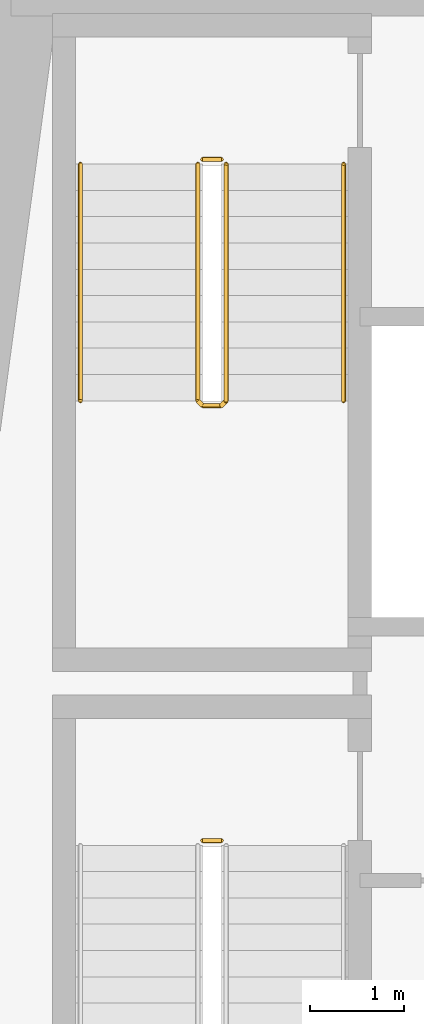
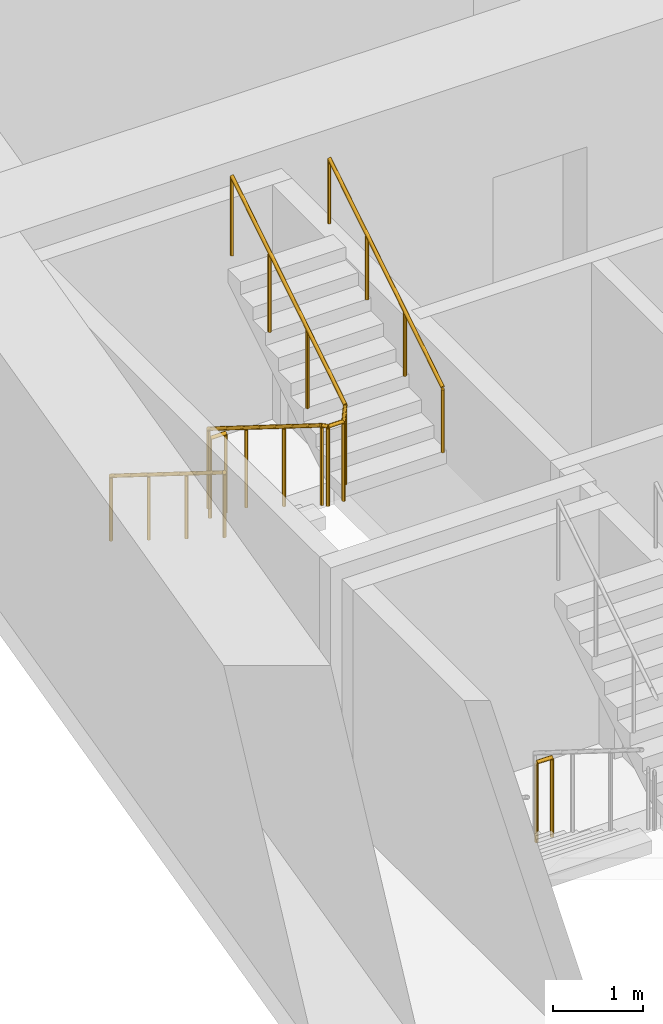
# One storey, part 10 of 13: 5 railings.
"""IFC4 building model written with IfcOpenShell, lengths in metres."""

from ifc_helpers import new_model, si_unit, direction, frame, origin, origin_2d, place, context, subcontext, project, spatial, circle, extrude, material, type_object, element, save


model = new_model("IFC4")

# Units and contexts
model_context = context("Model", 3, precision=1e-05, world=origin(), true_north=direction((0.0, 1.0)))
body_context = subcontext(model_context, "Body", "Model", "MODEL_VIEW")
ifc_project = project(units=[si_unit("LENGTHUNIT", "METRE"), si_unit("AREAUNIT", "SQUARE_METRE"), si_unit("VOLUMEUNIT", "CUBIC_METRE"), si_unit("PLANEANGLEUNIT", "RADIAN"), si_unit("MASSUNIT", "GRAM", prefix="KILO")], contexts=[model_context])

# Site, building, storey
site_placement = place(None, origin())
site = spatial("IfcSite", under=ifc_project, at=site_placement, CompositionType="ELEMENT")
building_placement = place(site_placement, origin())
building = spatial("IfcBuilding", under=site, at=building_placement, Name="Candeia Pilgrim Tower and Theatre", CompositionType="ELEMENT")
storey_placement = place(building_placement, frame((0.0, 0.0, 70.5)))
storey = spatial("IfcBuildingStorey", under=building, at=storey_placement, Name="L15", CompositionType="ELEMENT", Elevation=70.5)

# Railings
ifc_material_1 = material(Name="Stainless steel balustrade", Category="steel")
railing_type_1 = type_object("IfcRailingType", Name="RL-GUARD-1100", PredefinedType="GUARDRAIL", material=ifc_material_1)
railing_1_placement = place(storey_placement, frame((91.152099609375, 122.52490234375, 0.0)))
element("IfcRailing", 1, at=railing_1_placement, inside=storey, type_object=railing_type_1, Name="L15 ST1 stair guard 2", PredefinedType="GUARDRAIL", context=body_context, shape_type="SweptSolid", body=[
    extrude(circle(Radius=0.02392578125, at=origin_2d()), frame((0.0, 0.0, 1.076171875), z_axis=(1.0, 0.0, 0.0), x_axis=(0.0, 1.0, 0.0)), (0.0, 0.0, 1.0), 0.199951171875),
    extrude(circle(Radius=0.02099609375, at=origin_2d()), origin(), (0.0, 0.0, 1.0), 1.052001953125),
    extrude(circle(Radius=0.02099609375, at=origin_2d()), frame((0.199951171875, 0.0, 0.0)), (0.0, 0.0, 1.0), 1.052001953125),
])
railing_2_placement = place(storey_placement, frame((91.10205078125, 129.72509765625, 0.175048828125)))
element("IfcRailing", 2, at=railing_2_placement, inside=storey, type_object=railing_type_1, Name="L15 ST2 stair guard 1", PredefinedType="GUARDRAIL", context=body_context, shape_type="SweptSolid", body=[
    extrude(circle(Radius=0.02392578125, at=origin_2d()), frame((0.0, 0.0, 1.076171875), z_axis=(0.0, -0.848007534815, 0.529984170421), x_axis=(1.0, 0.0, 0.0)), (0.0, 0.0, 1.0), 2.9716796875),
    extrude(circle(Radius=0.02392578125, at=origin_2d()), frame((0.0, -2.52001953125, 2.65087890625), z_axis=(0.707106781187, -0.707106781187, 0.0), x_axis=(0.707106781187, 0.707106781187, 0.0)), (0.0, 0.0, 1.0), 0.07080078125),
    extrude(circle(Radius=0.02392578125, at=origin_2d()), frame((0.050048828125, -2.570068359375, 2.65087890625), z_axis=(1.0, 0.0, 0.0), x_axis=(0.0, 1.0, 0.0)), (0.0, 0.0, 1.0), 0.199951171875),
    extrude(circle(Radius=0.02392578125, at=origin_2d()), frame((0.25, -2.570068359375, 2.65087890625), z_axis=(0.265065253269, 0.265065253269, 0.927081885822), x_axis=(-0.707106781187, 0.707106781187, 0.0)), (0.0, 0.0, 1.0), 0.188720703125),
    extrude(circle(Radius=0.02392578125, at=origin_2d()), frame((0.300048828125, -2.52001953125, 2.826171875), z_axis=(0.0, 0.848007534815, 0.529984170421), x_axis=(-1.0, 0.0, 0.0)), (0.0, 0.0, 1.0), 2.9716796875),
    extrude(circle(Radius=0.02099609375, at=origin_2d()), origin(), (0.0, 0.0, 1.0), 1.052001953125),
    extrude(circle(Radius=0.02099609375, at=origin_2d()), frame((0.0, -0.840087890625, 0.52490234375)), (0.0, 0.0, 1.0), 1.052001953125),
    extrude(circle(Radius=0.02099609375, at=origin_2d()), frame((0.0, -1.679931640625, 1.050048828125)), (0.0, 0.0, 1.0), 1.052001953125),
    extrude(circle(Radius=0.02099609375, at=origin_2d()), frame((0.0, -2.52001953125, 1.574951171875)), (0.0, 0.0, 1.0), 1.052001953125),
    extrude(circle(Radius=0.02099609375, at=origin_2d()), frame((0.050048828125, -2.570068359375, 1.574951171875)), (0.0, 0.0, 1.0), 1.052001953125),
    extrude(circle(Radius=0.02099609375, at=origin_2d()), frame((0.25, -2.570068359375, 1.574951171875)), (0.0, 0.0, 1.0), 1.052001953125),
    extrude(circle(Radius=0.02099609375, at=origin_2d()), frame((0.300048828125, -2.52001953125, 1.75)), (0.0, 0.0, 1.0), 1.052001953125),
    extrude(circle(Radius=0.02099609375, at=origin_2d()), frame((0.300048828125, -1.679931640625, 2.27490234375)), (0.0, 0.0, 1.0), 1.052001953125),
    extrude(circle(Radius=0.02099609375, at=origin_2d()), frame((0.300048828125, -0.840087890625, 2.800048828125)), (0.0, 0.0, 1.0), 1.052001953125),
    extrude(circle(Radius=0.02099609375, at=origin_2d()), frame((0.300048828125, 0.0, 3.324951171875)), (0.0, 0.0, 1.0), 1.052001953125),
])
railing_3_placement = place(storey_placement, frame((91.152099609375, 129.77490234375, 0.0)))
element("IfcRailing", 3, at=railing_3_placement, inside=storey, type_object=railing_type_1, Name="L15 ST2 stair guard 2", PredefinedType="GUARDRAIL", context=body_context, shape_type="SweptSolid", body=[
    extrude(circle(Radius=0.02392578125, at=origin_2d()), frame((0.0, 0.0, 1.076171875), z_axis=(1.0, 0.0, 0.0), x_axis=(0.0, 1.0, 0.0)), (0.0, 0.0, 1.0), 0.199951171875),
    extrude(circle(Radius=0.02099609375, at=origin_2d()), origin(), (0.0, 0.0, 1.0), 1.052001953125),
    extrude(circle(Radius=0.02099609375, at=origin_2d()), frame((0.199951171875, 0.0, 0.0)), (0.0, 0.0, 1.0), 1.052001953125),
])
ifc_material_2 = material(Name="Stainless steel handrail", Category="steel")
railing_type_2 = type_object("IfcRailingType", Name="RL-HANDRAIL-900", PredefinedType="HANDRAIL", material=ifc_material_2)
railing_4_placement = place(storey_placement, frame((89.85205078125, 129.72509765625, 0.175048828125)))
element("IfcRailing", 4, at=railing_4_placement, inside=storey, type_object=railing_type_2, Name="L15 ST2 stair handrail 1", PredefinedType="HANDRAIL", context=body_context, shape_type="SweptSolid", body=[
    extrude(circle(Radius=0.02392578125, at=origin_2d()), frame((0.0, 0.0, 0.8759765625), z_axis=(0.0, -0.848007534815, 0.529984170421), x_axis=(1.0, 0.0, 0.0)), (0.0, 0.0, 1.0), 2.9716796875),
    extrude(circle(Radius=0.02099609375, at=origin_2d()), origin(), (0.0, 0.0, 1.0), 0.851806640625),
    extrude(circle(Radius=0.02099609375, at=origin_2d()), frame((0.0, -0.840087890625, 0.52490234375)), (0.0, 0.0, 1.0), 0.851806640625),
    extrude(circle(Radius=0.02099609375, at=origin_2d()), frame((0.0, -1.679931640625, 1.050048828125)), (0.0, 0.0, 1.0), 0.851806640625),
    extrude(circle(Radius=0.02099609375, at=origin_2d()), frame((0.0, -2.52001953125, 1.574951171875)), (0.0, 0.0, 1.0), 0.851806640625),
])
railing_5_placement = place(storey_placement, frame((92.652099609375, 127.205078125, 1.925048828125)))
element("IfcRailing", 5, at=railing_5_placement, inside=storey, type_object=railing_type_2, Name="L15 ST2 stair handrail 2", PredefinedType="HANDRAIL", context=body_context, shape_type="SweptSolid", body=[
    extrude(circle(Radius=0.02392578125, at=origin_2d()), frame((0.0, 0.0, 0.8759765625), z_axis=(0.0, 0.848007534815, 0.529984170421), x_axis=(-1.0, 0.0, 0.0)), (0.0, 0.0, 1.0), 2.9716796875),
    extrude(circle(Radius=0.02099609375, at=origin_2d()), origin(), (0.0, 0.0, 1.0), 0.851806640625),
    extrude(circle(Radius=0.02099609375, at=origin_2d()), frame((0.0, 0.840087890625, 0.52490234375)), (0.0, 0.0, 1.0), 0.851806640625),
    extrude(circle(Radius=0.02099609375, at=origin_2d()), frame((0.0, 1.679931640625, 1.050048828125)), (0.0, 0.0, 1.0), 0.851806640625),
    extrude(circle(Radius=0.02099609375, at=origin_2d()), frame((0.0, 2.52001953125, 1.574951171875)), (0.0, 0.0, 1.0), 0.851806640625),
])

save(model, "model.ifc")
